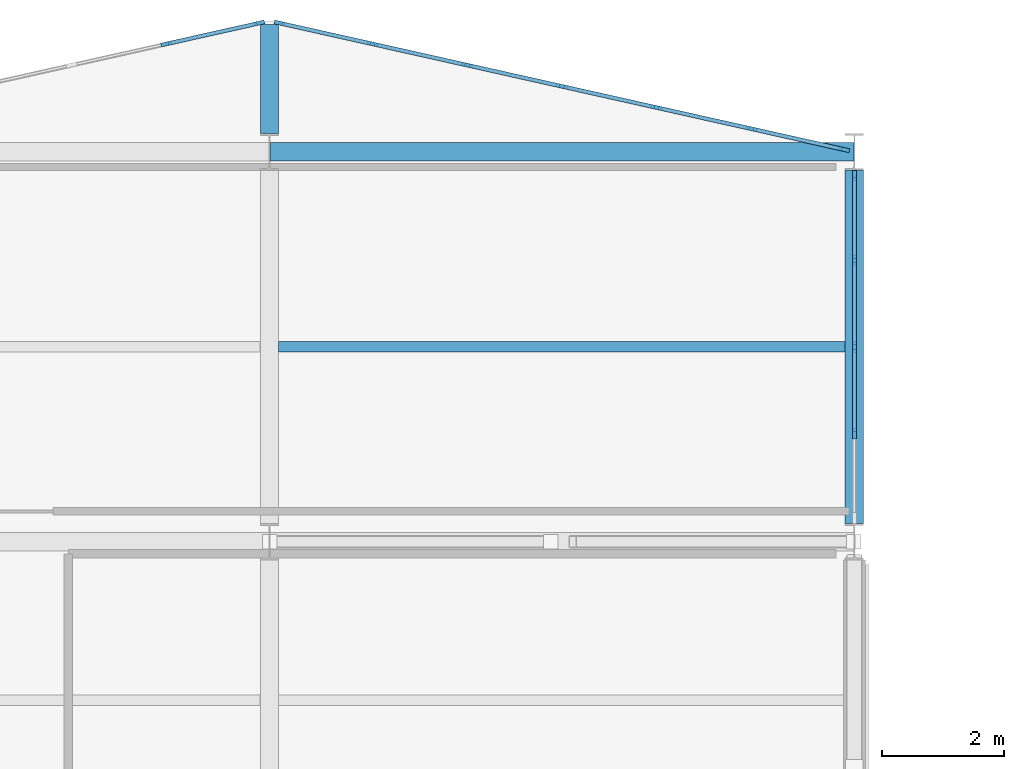
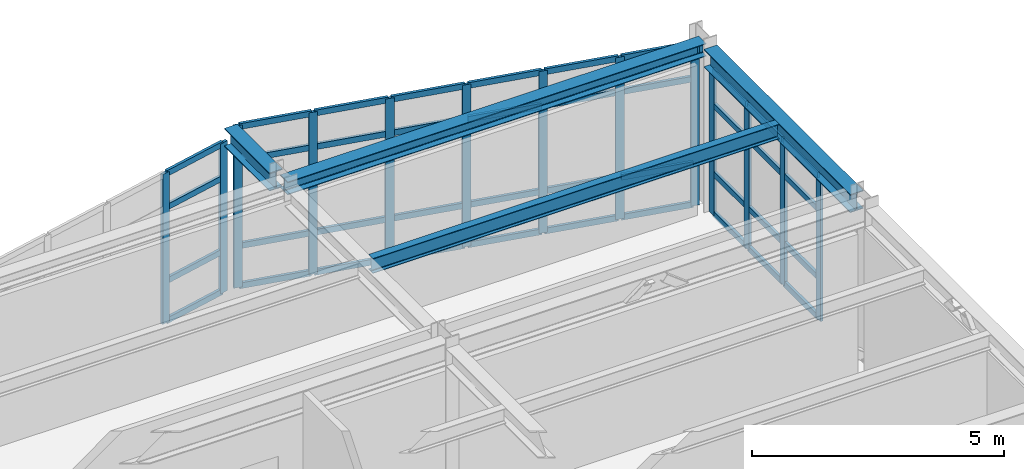
# One storey, part 55 of 99: 53 members, 4 beams, 3 elements without a shape of their own.
"""IFC4 building model written with IfcOpenShell, lengths in metres."""

from ifc_helpers import new_model, si_unit, direction, frame, origin, origin_2d, place, context, subcontext, project, spatial, rectangle, i_section, extrude, material, layer, layer_set, material_profile, profile_set, type_object, element, aggregate, save


model = new_model("IFC4")

# Units and contexts
model_context = context("Model", 3, precision=1e-05, world=origin(), true_north=direction((0.0, 1.0)))
body_context = subcontext(model_context, "Body", "Model", "MODEL_VIEW")
ifc_project = project(units=[si_unit("LENGTHUNIT", "METRE"), si_unit("AREAUNIT", "SQUARE_METRE"), si_unit("VOLUMEUNIT", "CUBIC_METRE"), si_unit("PLANEANGLEUNIT", "RADIAN"), si_unit("MASSUNIT", "GRAM", prefix="KILO")], contexts=[model_context])

# Site, building, storey
site_placement = place(None, origin())
site = spatial("IfcSite", under=ifc_project, at=site_placement, CompositionType="ELEMENT")
building_placement = place(site_placement, origin())
building = spatial("IfcBuilding", under=site, at=building_placement, Name="Nordkorset Police Headquarters", CompositionType="ELEMENT")
storey_placement = place(building_placement, frame((0.0, 0.0, 5.25)))
storey = spatial("IfcBuildingStorey", under=building, at=storey_placement, Name="L01", CompositionType="ELEMENT", Elevation=5.25)

# Beam
ifc_material_1 = material(Name="Steel S355J2", Category="steel")
ifc_material_profile_1 = material_profile(ifc_material_1, i_section(OverallWidth=0.169921875, OverallDepth=0.360107421875, WebThickness=0.008056640625, FlangeThickness=0.0126953125, FilletRadius=0.01806640625, at=origin_2d()), Name="IPE 360")
ifc_profile_set_1 = profile_set([ifc_material_profile_1], Name="Steel S355J2")
beam_type_1 = type_object("IfcBeamType", Name="Beam_IPE_360", PredefinedType="BEAM", material=ifc_profile_set_1)
beam_1_placement = place(storey_placement, frame((76.949951171875, 113.60009765625, 3.780029296875), z_axis=(1.0, 0.0, 0.0), x_axis=(0.0, 1.0, 0.0)))
element("IfcBeam", 1, at=beam_1_placement, inside=storey, type_object=beam_type_1, Name="Composite Floor Beam V2 L01 5-2-1", PredefinedType="BEAM", context=body_context, shape_type="SweptSolid", body=[
    extrude(i_section(OverallWidth=0.169921875, OverallDepth=0.360107421875, WebThickness=0.008056640625, FlangeThickness=0.0126953125, FilletRadius=0.01806640625, at=origin_2d()), origin(), (0.0, 0.0, 1.0), 9.300048828125),
])

# Curtain wall, members
ifc_material_2 = material(Name="Aluminium alloy AW-6060", Category="aluminium")
ifc_layer_1 = layer(ifc_material_2, 0.179931640625, Name="Aluminium alloy AW-6060")
ifc_layer_set_1 = layer_set([ifc_layer_1], Name="Aluminium alloy AW-6060")
curtain_wall_type_1 = type_object("IfcCurtainWallType", Name="CW_Unit_956x363", PredefinedType="USERDEFINED", material=ifc_layer_set_1)
curtain_wall_1_placement = place(storey_placement, origin())
curtain_wall_1 = element("IfcCurtainWall", 2, at=curtain_wall_1_placement, inside=storey, type_object=curtain_wall_type_1, Name="Unitised Curtain Wall L01 V2N-4", ObjectType="UNITISED CURTAIN WALL", PredefinedType="USERDEFINED")
ifc_material_3 = material(Name="Aluminium alloy AW-6060", Category="aluminium")
ifc_material_profile_2 = material_profile(ifc_material_3, rectangle(XDim=0.06494140625, YDim=0.179931640625, at=origin_2d()), Name="ALU MULL 65x180")
ifc_profile_set_2 = profile_set([ifc_material_profile_2], Name="Aluminium alloy AW-6060")
member_type_1 = type_object("IfcMemberType", Name="CW_Mullion_65x180", PredefinedType="MULLION", material=ifc_profile_set_2)
member_1_placement = place(storey_placement, frame((75.10888671875, 118.5712890625, 0.0), z_axis=(0.0, 0.0, 1.0), x_axis=(-0.218544020358, 0.975827090814, 0.0)))
member_1 = element("IfcMember", 3, at=member_1_placement, type_object=member_type_1, Name="CW-67 mullion 6", PredefinedType="MULLION", context=body_context, shape_type="SweptSolid", body=[
    extrude(rectangle(XDim=0.06494140625, YDim=0.179931640625, at=origin_2d()), origin(), (0.0, 0.0, 1.0), 3.6298828125),
])
member_2_placement = place(storey_placement, frame((76.631591796875, 118.912353515625, 0.0), z_axis=(0.0, 0.0, 1.0), x_axis=(-0.218544020358, 0.975827090814, 0.0)))
member_2 = element("IfcMember", 4, at=member_2_placement, type_object=member_type_1, Name="CW-67 mullion 7", PredefinedType="MULLION", context=body_context, shape_type="SweptSolid", body=[
    extrude(rectangle(XDim=0.06494140625, YDim=0.179931640625, at=origin_2d()), origin(), (0.0, 0.0, 1.0), 3.6298828125),
])

ifc_material_4 = material(Name="Aluminium alloy AW-6060", Category="aluminium")
ifc_layer_2 = layer(ifc_material_4, 0.179931640625, Name="Aluminium alloy AW-6060")
ifc_layer_set_2 = layer_set([ifc_layer_2], Name="Aluminium alloy AW-6060")
curtain_wall_type_2 = type_object("IfcCurtainWallType", Name="CW_Unit_956x392", PredefinedType="USERDEFINED", material=ifc_layer_set_2)
curtain_wall_2_placement = place(storey_placement, origin())
curtain_wall_2 = element("IfcCurtainWall", 5, at=curtain_wall_2_placement, inside=storey, type_object=curtain_wall_type_2, Name="Unitised Curtain Wall L01 V2N-5", ObjectType="UNITISED CURTAIN WALL", PredefinedType="USERDEFINED")
member_3_placement = place(storey_placement, frame((76.96826171875, 118.912353515625, 0.0), z_axis=(0.0, 0.0, 1.0), x_axis=(0.218544020358, 0.975827090814, 0.0)))
member_3 = element("IfcMember", 6, at=member_3_placement, type_object=member_type_1, Name="CW-41 mullion 1", PredefinedType="MULLION", context=body_context, shape_type="SweptSolid", body=[
    extrude(rectangle(XDim=0.06494140625, YDim=0.179931640625, at=origin_2d()), origin(), (0.0, 0.0, 1.0), 3.919921875),
])
member_4_placement = place(storey_placement, frame((78.490966796875, 118.5712890625, 0.0), z_axis=(0.0, 0.0, 1.0), x_axis=(0.218544020358, 0.975827090814, 0.0)))
member_4 = element("IfcMember", 7, at=member_4_placement, type_object=member_type_1, Name="CW-41 mullion 2", PredefinedType="MULLION", context=body_context, shape_type="SweptSolid", body=[
    extrude(rectangle(XDim=0.06494140625, YDim=0.179931640625, at=origin_2d()), origin(), (0.0, 0.0, 1.0), 3.919921875),
])
member_5_placement = place(storey_placement, frame((80.045654296875, 118.22314453125, 0.0), z_axis=(0.0, 0.0, 1.0), x_axis=(0.218544020358, 0.975827090814, 0.0)))
member_5 = element("IfcMember", 8, at=member_5_placement, type_object=member_type_1, Name="CW-41 mullion 3", PredefinedType="MULLION", context=body_context, shape_type="SweptSolid", body=[
    extrude(rectangle(XDim=0.06494140625, YDim=0.179931640625, at=origin_2d()), origin(), (0.0, 0.0, 1.0), 3.919921875),
])
member_6_placement = place(storey_placement, frame((81.60009765625, 117.875, 0.0), z_axis=(0.0, 0.0, 1.0), x_axis=(0.218544020358, 0.975827090814, 0.0)))
member_6 = element("IfcMember", 9, at=member_6_placement, type_object=member_type_1, Name="CW-41 mullion 4", PredefinedType="MULLION", context=body_context, shape_type="SweptSolid", body=[
    extrude(rectangle(XDim=0.06494140625, YDim=0.179931640625, at=origin_2d()), origin(), (0.0, 0.0, 1.0), 3.919921875),
])
member_7_placement = place(storey_placement, frame((83.154541015625, 117.52685546875, 0.0), z_axis=(0.0, 0.0, 1.0), x_axis=(0.218544020358, 0.975827090814, 0.0)))
member_7 = element("IfcMember", 10, at=member_7_placement, type_object=member_type_1, Name="CW-41 mullion 5", PredefinedType="MULLION", context=body_context, shape_type="SweptSolid", body=[
    extrude(rectangle(XDim=0.06494140625, YDim=0.179931640625, at=origin_2d()), origin(), (0.0, 0.0, 1.0), 3.919921875),
])
member_8_placement = place(storey_placement, frame((84.708984375, 117.1787109375, 0.0), z_axis=(0.0, 0.0, 1.0), x_axis=(0.218544020358, 0.975827090814, 0.0)))
member_8 = element("IfcMember", 11, at=member_8_placement, type_object=member_type_1, Name="CW-41 mullion 6", PredefinedType="MULLION", context=body_context, shape_type="SweptSolid", body=[
    extrude(rectangle(XDim=0.06494140625, YDim=0.179931640625, at=origin_2d()), origin(), (0.0, 0.0, 1.0), 3.919921875),
])
member_9_placement = place(storey_placement, frame((86.231689453125, 116.837646484375, 0.0), z_axis=(0.0, 0.0, 1.0), x_axis=(0.218544020358, 0.975827090814, 0.0)))
member_9 = element("IfcMember", 12, at=member_9_placement, type_object=member_type_1, Name="CW-41 mullion 7", PredefinedType="MULLION", context=body_context, shape_type="SweptSolid", body=[
    extrude(rectangle(XDim=0.06494140625, YDim=0.179931640625, at=origin_2d()), origin(), (0.0, 0.0, 1.0), 3.919921875),
])

ifc_material_5 = material(Name="Aluminium alloy AW-6060", Category="aluminium")
ifc_layer_3 = layer(ifc_material_5, 0.179931640625, Name="Aluminium alloy AW-6060")
ifc_layer_set_3 = layer_set([ifc_layer_3], Name="Aluminium alloy AW-6060")
curtain_wall_type_3 = type_object("IfcCurtainWallType", Name="CW_Unit_568x350", PredefinedType="USERDEFINED", material=ifc_layer_set_3)
curtain_wall_3_placement = place(storey_placement, origin())
curtain_wall_3 = element("IfcCurtainWall", 13, at=curtain_wall_3_placement, inside=storey, type_object=curtain_wall_type_3, Name="Unitised Curtain Wall L01 V2E-1", ObjectType="UNITISED CURTAIN WALL", PredefinedType="USERDEFINED")
member_10_placement = place(storey_placement, frame((86.39990234375, 112.179931640625, 0.0), z_axis=(0.0, 0.0, 1.0), x_axis=(-1.0, 0.0, 0.0)))
member_10 = element("IfcMember", 14, at=member_10_placement, type_object=member_type_1, Name="CW-23 mullion 2", PredefinedType="MULLION", context=body_context, shape_type="SweptSolid", body=[
    extrude(rectangle(XDim=0.06494140625, YDim=0.179931640625, at=origin_2d()), origin(), (0.0, 0.0, 1.0), 3.5),
])
member_11_placement = place(storey_placement, frame((86.39990234375, 113.60009765625, 0.0), z_axis=(0.0, 0.0, 1.0), x_axis=(-1.0, 0.0, 0.0)))
member_11 = element("IfcMember", 15, at=member_11_placement, type_object=member_type_1, Name="CW-23 mullion 3", PredefinedType="MULLION", context=body_context, shape_type="SweptSolid", body=[
    extrude(rectangle(XDim=0.06494140625, YDim=0.179931640625, at=origin_2d()), origin(), (0.0, 0.0, 1.0), 3.5),
])
member_12_placement = place(storey_placement, frame((86.39990234375, 115.02001953125, 0.0), z_axis=(0.0, 0.0, 1.0), x_axis=(-1.0, 0.0, 0.0)))
member_12 = element("IfcMember", 16, at=member_12_placement, type_object=member_type_1, Name="CW-23 mullion 4", PredefinedType="MULLION", context=body_context, shape_type="SweptSolid", body=[
    extrude(rectangle(XDim=0.06494140625, YDim=0.179931640625, at=origin_2d()), origin(), (0.0, 0.0, 1.0), 3.5),
])
member_13_placement = place(storey_placement, frame((86.39990234375, 116.407470703125, 0.0), z_axis=(0.0, 0.0, 1.0), x_axis=(-1.0, 0.0, 0.0)))
member_13 = element("IfcMember", 17, at=member_13_placement, type_object=member_type_1, Name="CW-23 mullion 5", PredefinedType="MULLION", context=body_context, shape_type="SweptSolid", body=[
    extrude(rectangle(XDim=0.06494140625, YDim=0.179931640625, at=origin_2d()), origin(), (0.0, 0.0, 1.0), 3.5),
])

# Member
ifc_material_6 = material(Name="Aluminium alloy AW-6060", Category="aluminium")
ifc_material_profile_3 = material_profile(ifc_material_6, rectangle(XDim=0.06494140625, YDim=0.139892578125, at=origin_2d()), Name="ALU TRAN 65x140")
ifc_profile_set_3 = profile_set([ifc_material_profile_3], Name="Aluminium alloy AW-6060")
member_type_2 = type_object("IfcMemberType", Name="CW_Transom_65x140", PredefinedType="USERDEFINED", material=ifc_profile_set_3)
member_14_placement = place(storey_placement, frame((75.140625, 118.578369140625, 0.032470703125), z_axis=(0.975813000089, 0.218606927743, 0.0), x_axis=(-0.218606927743, 0.975813000089, 0.0)))
member_14 = element("IfcMember", 18, at=member_14_placement, type_object=member_type_2, Name="CW-67 transom 6.1", ObjectType="TRANSOM", PredefinedType="USERDEFINED", context=body_context, shape_type="SweptSolid", body=[
    extrude(rectangle(XDim=0.06494140625, YDim=0.139892578125, at=origin_2d()), origin(), (0.0, 0.0, 1.0), 1.495361328125),
])

member_15_placement = place(storey_placement, frame((75.140625, 118.578369140625, 1.0), z_axis=(0.975813000089, 0.218606927743, 0.0), x_axis=(-0.218606927743, 0.975813000089, 0.0)))
member_15 = element("IfcMember", 19, at=member_15_placement, type_object=member_type_2, Name="CW-67 transom 6.2", ObjectType="TRANSOM", PredefinedType="USERDEFINED", context=body_context, shape_type="SweptSolid", body=[
    extrude(rectangle(XDim=0.06494140625, YDim=0.139892578125, at=origin_2d()), origin(), (0.0, 0.0, 1.0), 1.495361328125),
])

member_16_placement = place(storey_placement, frame((75.140625, 118.578369140625, 2.780029296875), z_axis=(0.975813000089, 0.218606927743, 0.0), x_axis=(-0.218606927743, 0.975813000089, 0.0)))
member_16 = element("IfcMember", 20, at=member_16_placement, type_object=member_type_2, Name="CW-67 transom 6.3", ObjectType="TRANSOM", PredefinedType="USERDEFINED", context=body_context, shape_type="SweptSolid", body=[
    extrude(rectangle(XDim=0.06494140625, YDim=0.139892578125, at=origin_2d()), origin(), (0.0, 0.0, 1.0), 1.495361328125),
])

member_17_placement = place(storey_placement, frame((75.140625, 118.578369140625, 3.597412109375), z_axis=(0.975813000089, 0.218606927743, 0.0), x_axis=(-0.218606927743, 0.975813000089, 0.0)))
member_17 = element("IfcMember", 21, at=member_17_placement, type_object=member_type_2, Name="CW-67 transom 6.4", ObjectType="TRANSOM", PredefinedType="USERDEFINED", context=body_context, shape_type="SweptSolid", body=[
    extrude(rectangle(XDim=0.06494140625, YDim=0.139892578125, at=origin_2d()), origin(), (0.0, 0.0, 1.0), 1.495361328125),
])

aggregate(curtain_wall_1, [member_1, member_2, member_14, member_15, member_16, member_17])

member_18_placement = place(storey_placement, frame((77.0, 118.9052734375, 0.032470703125), z_axis=(0.975820800319, -0.218572106328, 0.0), x_axis=(0.218572106328, 0.975820800319, 0.0)))
member_18 = element("IfcMember", 22, at=member_18_placement, type_object=member_type_2, Name="CW-41 transom 1.1", ObjectType="TRANSOM", PredefinedType="USERDEFINED", context=body_context, shape_type="SweptSolid", body=[
    extrude(rectangle(XDim=0.06494140625, YDim=0.139892578125, at=origin_2d()), origin(), (0.0, 0.0, 1.0), 1.49560546875),
])

member_19_placement = place(storey_placement, frame((77.0, 118.9052734375, 1.0), z_axis=(0.975820800319, -0.218572106328, 0.0), x_axis=(0.218572106328, 0.975820800319, 0.0)))
member_19 = element("IfcMember", 23, at=member_19_placement, type_object=member_type_2, Name="CW-41 transom 1.2", ObjectType="TRANSOM", PredefinedType="USERDEFINED", context=body_context, shape_type="SweptSolid", body=[
    extrude(rectangle(XDim=0.06494140625, YDim=0.139892578125, at=origin_2d()), origin(), (0.0, 0.0, 1.0), 1.49560546875),
])

member_20_placement = place(storey_placement, frame((77.0, 118.9052734375, 3.070068359375), z_axis=(0.975820800319, -0.218572106328, 0.0), x_axis=(0.218572106328, 0.975820800319, 0.0)))
member_20 = element("IfcMember", 24, at=member_20_placement, type_object=member_type_2, Name="CW-41 transom 1.3", ObjectType="TRANSOM", PredefinedType="USERDEFINED", context=body_context, shape_type="SweptSolid", body=[
    extrude(rectangle(XDim=0.06494140625, YDim=0.139892578125, at=origin_2d()), origin(), (0.0, 0.0, 1.0), 1.49560546875),
])

member_21_placement = place(storey_placement, frame((77.0, 118.9052734375, 3.887451171875), z_axis=(0.975820800319, -0.218572106328, 0.0), x_axis=(0.218572106328, 0.975820800319, 0.0)))
member_21 = element("IfcMember", 25, at=member_21_placement, type_object=member_type_2, Name="CW-41 transom 1.4", ObjectType="TRANSOM", PredefinedType="USERDEFINED", context=body_context, shape_type="SweptSolid", body=[
    extrude(rectangle(XDim=0.06494140625, YDim=0.139892578125, at=origin_2d()), origin(), (0.0, 0.0, 1.0), 1.49560546875),
])

member_22_placement = place(storey_placement, frame((78.522705078125, 118.564208984375, 0.032470703125), z_axis=(0.975824835817, -0.218554088965, 0.0), x_axis=(0.218554088965, 0.975824835817, 0.0)))
member_22 = element("IfcMember", 26, at=member_22_placement, type_object=member_type_2, Name="CW-41 transom 2.1", ObjectType="TRANSOM", PredefinedType="USERDEFINED", context=body_context, shape_type="SweptSolid", body=[
    extrude(rectangle(XDim=0.06494140625, YDim=0.139892578125, at=origin_2d()), origin(), (0.0, 0.0, 1.0), 1.528076171875),
])

member_23_placement = place(storey_placement, frame((78.522705078125, 118.564208984375, 1.0), z_axis=(0.975824835817, -0.218554088965, 0.0), x_axis=(0.218554088965, 0.975824835817, 0.0)))
member_23 = element("IfcMember", 27, at=member_23_placement, type_object=member_type_2, Name="CW-41 transom 2.2", ObjectType="TRANSOM", PredefinedType="USERDEFINED", context=body_context, shape_type="SweptSolid", body=[
    extrude(rectangle(XDim=0.06494140625, YDim=0.139892578125, at=origin_2d()), origin(), (0.0, 0.0, 1.0), 1.528076171875),
])

member_24_placement = place(storey_placement, frame((78.522705078125, 118.564208984375, 3.070068359375), z_axis=(0.975824835817, -0.218554088965, 0.0), x_axis=(0.218554088965, 0.975824835817, 0.0)))
member_24 = element("IfcMember", 28, at=member_24_placement, type_object=member_type_2, Name="CW-41 transom 2.3", ObjectType="TRANSOM", PredefinedType="USERDEFINED", context=body_context, shape_type="SweptSolid", body=[
    extrude(rectangle(XDim=0.06494140625, YDim=0.139892578125, at=origin_2d()), origin(), (0.0, 0.0, 1.0), 1.528076171875),
])

member_25_placement = place(storey_placement, frame((78.522705078125, 118.564208984375, 3.887451171875), z_axis=(0.975824835817, -0.218554088965, 0.0), x_axis=(0.218554088965, 0.975824835817, 0.0)))
member_25 = element("IfcMember", 29, at=member_25_placement, type_object=member_type_2, Name="CW-41 transom 2.4", ObjectType="TRANSOM", PredefinedType="USERDEFINED", context=body_context, shape_type="SweptSolid", body=[
    extrude(rectangle(XDim=0.06494140625, YDim=0.139892578125, at=origin_2d()), origin(), (0.0, 0.0, 1.0), 1.528076171875),
])

member_26_placement = place(storey_placement, frame((80.0771484375, 118.216064453125, 0.032470703125), z_axis=(0.975824835817, -0.218554088965, 0.0), x_axis=(0.218554088965, 0.975824835817, 0.0)))
member_26 = element("IfcMember", 30, at=member_26_placement, type_object=member_type_2, Name="CW-41 transom 3.1", ObjectType="TRANSOM", PredefinedType="USERDEFINED", context=body_context, shape_type="SweptSolid", body=[
    extrude(rectangle(XDim=0.06494140625, YDim=0.139892578125, at=origin_2d()), origin(), (0.0, 0.0, 1.0), 1.528076171875),
])

member_27_placement = place(storey_placement, frame((80.0771484375, 118.216064453125, 1.0), z_axis=(0.975824835817, -0.218554088965, 0.0), x_axis=(0.218554088965, 0.975824835817, 0.0)))
member_27 = element("IfcMember", 31, at=member_27_placement, type_object=member_type_2, Name="CW-41 transom 3.2", ObjectType="TRANSOM", PredefinedType="USERDEFINED", context=body_context, shape_type="SweptSolid", body=[
    extrude(rectangle(XDim=0.06494140625, YDim=0.139892578125, at=origin_2d()), origin(), (0.0, 0.0, 1.0), 1.528076171875),
])

member_28_placement = place(storey_placement, frame((80.0771484375, 118.216064453125, 3.070068359375), z_axis=(0.975824835817, -0.218554088965, 0.0), x_axis=(0.218554088965, 0.975824835817, 0.0)))
member_28 = element("IfcMember", 32, at=member_28_placement, type_object=member_type_2, Name="CW-41 transom 3.3", ObjectType="TRANSOM", PredefinedType="USERDEFINED", context=body_context, shape_type="SweptSolid", body=[
    extrude(rectangle(XDim=0.06494140625, YDim=0.139892578125, at=origin_2d()), origin(), (0.0, 0.0, 1.0), 1.528076171875),
])

member_29_placement = place(storey_placement, frame((80.0771484375, 118.216064453125, 3.887451171875), z_axis=(0.975824835817, -0.218554088965, 0.0), x_axis=(0.218554088965, 0.975824835817, 0.0)))
member_29 = element("IfcMember", 33, at=member_29_placement, type_object=member_type_2, Name="CW-41 transom 3.4", ObjectType="TRANSOM", PredefinedType="USERDEFINED", context=body_context, shape_type="SweptSolid", body=[
    extrude(rectangle(XDim=0.06494140625, YDim=0.139892578125, at=origin_2d()), origin(), (0.0, 0.0, 1.0), 1.528076171875),
])

member_30_placement = place(storey_placement, frame((81.6318359375, 117.867919921875, 0.032470703125), z_axis=(0.975817202869, -0.218588166616, 0.0), x_axis=(0.218588166616, 0.975817202869, 0.0)))
member_30 = element("IfcMember", 34, at=member_30_placement, type_object=member_type_2, Name="CW-41 transom 4.1", ObjectType="TRANSOM", PredefinedType="USERDEFINED", context=body_context, shape_type="SweptSolid", body=[
    extrude(rectangle(XDim=0.06494140625, YDim=0.139892578125, at=origin_2d()), origin(), (0.0, 0.0, 1.0), 1.52783203125),
])

member_31_placement = place(storey_placement, frame((81.6318359375, 117.867919921875, 1.0), z_axis=(0.975817202869, -0.218588166616, 0.0), x_axis=(0.218588166616, 0.975817202869, 0.0)))
member_31 = element("IfcMember", 35, at=member_31_placement, type_object=member_type_2, Name="CW-41 transom 4.2", ObjectType="TRANSOM", PredefinedType="USERDEFINED", context=body_context, shape_type="SweptSolid", body=[
    extrude(rectangle(XDim=0.06494140625, YDim=0.139892578125, at=origin_2d()), origin(), (0.0, 0.0, 1.0), 1.52783203125),
])

member_32_placement = place(storey_placement, frame((81.6318359375, 117.867919921875, 3.070068359375), z_axis=(0.975817202869, -0.218588166616, 0.0), x_axis=(0.218588166616, 0.975817202869, 0.0)))
member_32 = element("IfcMember", 36, at=member_32_placement, type_object=member_type_2, Name="CW-41 transom 4.3", ObjectType="TRANSOM", PredefinedType="USERDEFINED", context=body_context, shape_type="SweptSolid", body=[
    extrude(rectangle(XDim=0.06494140625, YDim=0.139892578125, at=origin_2d()), origin(), (0.0, 0.0, 1.0), 1.52783203125),
])

member_33_placement = place(storey_placement, frame((81.6318359375, 117.867919921875, 3.887451171875), z_axis=(0.975817202869, -0.218588166616, 0.0), x_axis=(0.218588166616, 0.975817202869, 0.0)))
member_33 = element("IfcMember", 37, at=member_33_placement, type_object=member_type_2, Name="CW-41 transom 4.4", ObjectType="TRANSOM", PredefinedType="USERDEFINED", context=body_context, shape_type="SweptSolid", body=[
    extrude(rectangle(XDim=0.06494140625, YDim=0.139892578125, at=origin_2d()), origin(), (0.0, 0.0, 1.0), 1.52783203125),
])

member_34_placement = place(storey_placement, frame((83.186279296875, 117.519775390625, 0.032470703125), z_axis=(0.975817202869, -0.218588166616, 0.0), x_axis=(0.218588166616, 0.975817202869, 0.0)))
member_34 = element("IfcMember", 38, at=member_34_placement, type_object=member_type_2, Name="CW-41 transom 5.1", ObjectType="TRANSOM", PredefinedType="USERDEFINED", context=body_context, shape_type="SweptSolid", body=[
    extrude(rectangle(XDim=0.06494140625, YDim=0.139892578125, at=origin_2d()), origin(), (0.0, 0.0, 1.0), 1.52783203125),
])

member_35_placement = place(storey_placement, frame((83.186279296875, 117.519775390625, 1.0), z_axis=(0.975817202869, -0.218588166616, 0.0), x_axis=(0.218588166616, 0.975817202869, 0.0)))
member_35 = element("IfcMember", 39, at=member_35_placement, type_object=member_type_2, Name="CW-41 transom 5.2", ObjectType="TRANSOM", PredefinedType="USERDEFINED", context=body_context, shape_type="SweptSolid", body=[
    extrude(rectangle(XDim=0.06494140625, YDim=0.139892578125, at=origin_2d()), origin(), (0.0, 0.0, 1.0), 1.52783203125),
])

member_36_placement = place(storey_placement, frame((83.186279296875, 117.519775390625, 3.070068359375), z_axis=(0.975817202869, -0.218588166616, 0.0), x_axis=(0.218588166616, 0.975817202869, 0.0)))
member_36 = element("IfcMember", 40, at=member_36_placement, type_object=member_type_2, Name="CW-41 transom 5.3", ObjectType="TRANSOM", PredefinedType="USERDEFINED", context=body_context, shape_type="SweptSolid", body=[
    extrude(rectangle(XDim=0.06494140625, YDim=0.139892578125, at=origin_2d()), origin(), (0.0, 0.0, 1.0), 1.52783203125),
])

member_37_placement = place(storey_placement, frame((83.186279296875, 117.519775390625, 3.887451171875), z_axis=(0.975817202869, -0.218588166616, 0.0), x_axis=(0.218588166616, 0.975817202869, 0.0)))
member_37 = element("IfcMember", 41, at=member_37_placement, type_object=member_type_2, Name="CW-41 transom 5.4", ObjectType="TRANSOM", PredefinedType="USERDEFINED", context=body_context, shape_type="SweptSolid", body=[
    extrude(rectangle(XDim=0.06494140625, YDim=0.139892578125, at=origin_2d()), origin(), (0.0, 0.0, 1.0), 1.52783203125),
])

member_38_placement = place(storey_placement, frame((84.74072265625, 117.171630859375, 0.032470703125), z_axis=(0.975813000089, -0.218606927743, 0.0), x_axis=(0.218606927743, 0.975813000089, 0.0)))
member_38 = element("IfcMember", 42, at=member_38_placement, type_object=member_type_2, Name="CW-41 transom 6.1", ObjectType="TRANSOM", PredefinedType="USERDEFINED", context=body_context, shape_type="SweptSolid", body=[
    extrude(rectangle(XDim=0.06494140625, YDim=0.139892578125, at=origin_2d()), origin(), (0.0, 0.0, 1.0), 1.495361328125),
])

member_39_placement = place(storey_placement, frame((84.74072265625, 117.171630859375, 1.0), z_axis=(0.975813000089, -0.218606927743, 0.0), x_axis=(0.218606927743, 0.975813000089, 0.0)))
member_39 = element("IfcMember", 43, at=member_39_placement, type_object=member_type_2, Name="CW-41 transom 6.2", ObjectType="TRANSOM", PredefinedType="USERDEFINED", context=body_context, shape_type="SweptSolid", body=[
    extrude(rectangle(XDim=0.06494140625, YDim=0.139892578125, at=origin_2d()), origin(), (0.0, 0.0, 1.0), 1.495361328125),
])

member_40_placement = place(storey_placement, frame((84.74072265625, 117.171630859375, 3.070068359375), z_axis=(0.975813000089, -0.218606927743, 0.0), x_axis=(0.218606927743, 0.975813000089, 0.0)))
member_40 = element("IfcMember", 44, at=member_40_placement, type_object=member_type_2, Name="CW-41 transom 6.3", ObjectType="TRANSOM", PredefinedType="USERDEFINED", context=body_context, shape_type="SweptSolid", body=[
    extrude(rectangle(XDim=0.06494140625, YDim=0.139892578125, at=origin_2d()), origin(), (0.0, 0.0, 1.0), 1.495361328125),
])

member_41_placement = place(storey_placement, frame((84.74072265625, 117.171630859375, 3.887451171875), z_axis=(0.975813000089, -0.218606927743, 0.0), x_axis=(0.218606927743, 0.975813000089, 0.0)))
member_41 = element("IfcMember", 45, at=member_41_placement, type_object=member_type_2, Name="CW-41 transom 6.4", ObjectType="TRANSOM", PredefinedType="USERDEFINED", context=body_context, shape_type="SweptSolid", body=[
    extrude(rectangle(XDim=0.06494140625, YDim=0.139892578125, at=origin_2d()), origin(), (0.0, 0.0, 1.0), 1.495361328125),
])

aggregate(curtain_wall_2, [member_3, member_4, member_5, member_6, member_7, member_8, member_9, member_18, member_19, member_20, member_21, member_22, member_23, member_24, member_25, member_26, member_27, member_28, member_29, member_30, member_31, member_32, member_33, member_34, member_35, member_36, member_37, member_38, member_39, member_40, member_41])

member_42_placement = place(storey_placement, frame((86.39990234375, 112.21240234375, 0.032470703125), z_axis=(0.0, 1.0, 0.0), x_axis=(-1.0, 0.0, 0.0)))
member_42 = element("IfcMember", 46, at=member_42_placement, type_object=member_type_2, Name="CW-23 transom 2.1", ObjectType="TRANSOM", PredefinedType="USERDEFINED", context=body_context, shape_type="SweptSolid", body=[
    extrude(rectangle(XDim=0.06494140625, YDim=0.139892578125, at=origin_2d()), origin(), (0.0, 0.0, 1.0), 1.35498046875),
])

member_43_placement = place(storey_placement, frame((86.39990234375, 112.21240234375, 1.0), z_axis=(0.0, 1.0, 0.0), x_axis=(-1.0, 0.0, 0.0)))
member_43 = element("IfcMember", 47, at=member_43_placement, type_object=member_type_2, Name="CW-23 transom 2.2", ObjectType="TRANSOM", PredefinedType="USERDEFINED", context=body_context, shape_type="SweptSolid", body=[
    extrude(rectangle(XDim=0.06494140625, YDim=0.139892578125, at=origin_2d()), origin(), (0.0, 0.0, 1.0), 1.35498046875),
])

member_44_placement = place(storey_placement, frame((86.39990234375, 112.21240234375, 2.64990234375), z_axis=(0.0, 1.0, 0.0), x_axis=(-1.0, 0.0, 0.0)))
member_44 = element("IfcMember", 48, at=member_44_placement, type_object=member_type_2, Name="CW-23 transom 2.3", ObjectType="TRANSOM", PredefinedType="USERDEFINED", context=body_context, shape_type="SweptSolid", body=[
    extrude(rectangle(XDim=0.06494140625, YDim=0.139892578125, at=origin_2d()), origin(), (0.0, 0.0, 1.0), 1.35498046875),
])

member_45_placement = place(storey_placement, frame((86.39990234375, 112.21240234375, 3.467529296875), z_axis=(0.0, 1.0, 0.0), x_axis=(-1.0, 0.0, 0.0)))
member_45 = element("IfcMember", 49, at=member_45_placement, type_object=member_type_2, Name="CW-23 transom 2.4", ObjectType="TRANSOM", PredefinedType="USERDEFINED", context=body_context, shape_type="SweptSolid", body=[
    extrude(rectangle(XDim=0.06494140625, YDim=0.139892578125, at=origin_2d()), origin(), (0.0, 0.0, 1.0), 1.35498046875),
])

member_46_placement = place(storey_placement, frame((86.39990234375, 113.632568359375, 0.032470703125), z_axis=(0.0, 1.0, 0.0), x_axis=(-1.0, 0.0, 0.0)))
member_46 = element("IfcMember", 50, at=member_46_placement, type_object=member_type_2, Name="CW-23 transom 3.1", ObjectType="TRANSOM", PredefinedType="USERDEFINED", context=body_context, shape_type="SweptSolid", body=[
    extrude(rectangle(XDim=0.06494140625, YDim=0.139892578125, at=origin_2d()), origin(), (0.0, 0.0, 1.0), 1.35498046875),
])

member_47_placement = place(storey_placement, frame((86.39990234375, 113.632568359375, 1.0), z_axis=(0.0, 1.0, 0.0), x_axis=(-1.0, 0.0, 0.0)))
member_47 = element("IfcMember", 51, at=member_47_placement, type_object=member_type_2, Name="CW-23 transom 3.2", ObjectType="TRANSOM", PredefinedType="USERDEFINED", context=body_context, shape_type="SweptSolid", body=[
    extrude(rectangle(XDim=0.06494140625, YDim=0.139892578125, at=origin_2d()), origin(), (0.0, 0.0, 1.0), 1.35498046875),
])

member_48_placement = place(storey_placement, frame((86.39990234375, 113.632568359375, 2.64990234375), z_axis=(0.0, 1.0, 0.0), x_axis=(-1.0, 0.0, 0.0)))
member_48 = element("IfcMember", 52, at=member_48_placement, type_object=member_type_2, Name="CW-23 transom 3.3", ObjectType="TRANSOM", PredefinedType="USERDEFINED", context=body_context, shape_type="SweptSolid", body=[
    extrude(rectangle(XDim=0.06494140625, YDim=0.139892578125, at=origin_2d()), origin(), (0.0, 0.0, 1.0), 1.35498046875),
])

member_49_placement = place(storey_placement, frame((86.39990234375, 113.632568359375, 3.467529296875), z_axis=(0.0, 1.0, 0.0), x_axis=(-1.0, 0.0, 0.0)))
member_49 = element("IfcMember", 53, at=member_49_placement, type_object=member_type_2, Name="CW-23 transom 3.4", ObjectType="TRANSOM", PredefinedType="USERDEFINED", context=body_context, shape_type="SweptSolid", body=[
    extrude(rectangle(XDim=0.06494140625, YDim=0.139892578125, at=origin_2d()), origin(), (0.0, 0.0, 1.0), 1.35498046875),
])

member_50_placement = place(storey_placement, frame((86.39990234375, 115.052490234375, 0.032470703125), z_axis=(0.0, 1.0, 0.0), x_axis=(-1.0, 0.0, 0.0)))
member_50 = element("IfcMember", 54, at=member_50_placement, type_object=member_type_2, Name="CW-23 transom 4.1", ObjectType="TRANSOM", PredefinedType="USERDEFINED", context=body_context, shape_type="SweptSolid", body=[
    extrude(rectangle(XDim=0.06494140625, YDim=0.139892578125, at=origin_2d()), origin(), (0.0, 0.0, 1.0), 1.322509765625),
])

member_51_placement = place(storey_placement, frame((86.39990234375, 115.052490234375, 1.0), z_axis=(0.0, 1.0, 0.0), x_axis=(-1.0, 0.0, 0.0)))
member_51 = element("IfcMember", 55, at=member_51_placement, type_object=member_type_2, Name="CW-23 transom 4.2", ObjectType="TRANSOM", PredefinedType="USERDEFINED", context=body_context, shape_type="SweptSolid", body=[
    extrude(rectangle(XDim=0.06494140625, YDim=0.139892578125, at=origin_2d()), origin(), (0.0, 0.0, 1.0), 1.322509765625),
])

member_52_placement = place(storey_placement, frame((86.39990234375, 115.052490234375, 2.64990234375), z_axis=(0.0, 1.0, 0.0), x_axis=(-1.0, 0.0, 0.0)))
member_52 = element("IfcMember", 56, at=member_52_placement, type_object=member_type_2, Name="CW-23 transom 4.3", ObjectType="TRANSOM", PredefinedType="USERDEFINED", context=body_context, shape_type="SweptSolid", body=[
    extrude(rectangle(XDim=0.06494140625, YDim=0.139892578125, at=origin_2d()), origin(), (0.0, 0.0, 1.0), 1.322509765625),
])

member_53_placement = place(storey_placement, frame((86.39990234375, 115.052490234375, 3.467529296875), z_axis=(0.0, 1.0, 0.0), x_axis=(-1.0, 0.0, 0.0)))
member_53 = element("IfcMember", 57, at=member_53_placement, type_object=member_type_2, Name="CW-23 transom 4.4", ObjectType="TRANSOM", PredefinedType="USERDEFINED", context=body_context, shape_type="SweptSolid", body=[
    extrude(rectangle(XDim=0.06494140625, YDim=0.139892578125, at=origin_2d()), origin(), (0.0, 0.0, 1.0), 1.322509765625),
])

aggregate(curtain_wall_3, [member_10, member_11, member_12, member_13, member_42, member_43, member_44, member_45, member_46, member_47, member_48, member_49, member_50, member_51, member_52, member_53])

# Beams
ifc_material_7 = material(Name="Steel S355J2", Category="steel")
ifc_material_profile_4 = material_profile(ifc_material_7, i_section(OverallWidth=0.300048828125, OverallDepth=0.43994140625, WebThickness=0.011474609375, FlangeThickness=0.02099609375, FilletRadius=0.027099609375, at=origin_2d()), Name="HEA 450")
ifc_profile_set_4 = profile_set([ifc_material_profile_4], Name="Steel S355J2")
beam_type_2 = type_object("IfcBeamType", Name="Girder_HEA_450", PredefinedType="USERDEFINED", material=ifc_profile_set_4)
beam_2_placement = place(storey_placement, frame((86.39990234375, 110.699951171875, 3.739990234375), z_axis=(0.0, 1.0, 0.0), x_axis=(-1.0, 0.0, 0.0)))
element("IfcBeam", 58, at=beam_2_placement, inside=storey, type_object=beam_type_2, Name="Girder V2 L01 GY-6-2", ObjectType="GIRDER", PredefinedType="USERDEFINED", context=body_context, shape_type="SweptSolid", body=[
    extrude(i_section(OverallWidth=0.300048828125, OverallDepth=0.43994140625, WebThickness=0.011474609375, FlangeThickness=0.02099609375, FilletRadius=0.027099609375, at=origin_2d()), origin(), (0.0, 0.0, 1.0), 5.800048828125),
])
beam_3_placement = place(storey_placement, frame((76.800048828125, 117.10009765625, 3.739990234375), z_axis=(0.0, 1.0, 0.0), x_axis=(-1.0, 0.0, 0.0)))
element("IfcBeam", 59, at=beam_3_placement, inside=storey, type_object=beam_type_2, Name="Sawtooth Facade Outrigger V2 L01 76", ObjectType="GIRDER", PredefinedType="USERDEFINED", context=body_context, shape_type="SweptSolid", body=[
    extrude(i_section(OverallWidth=0.300048828125, OverallDepth=0.43994140625, WebThickness=0.011474609375, FlangeThickness=0.02099609375, FilletRadius=0.027099609375, at=origin_2d()), origin(), (0.0, 0.0, 1.0), 1.789794921875),
])
ifc_material_8 = material(Name="Steel S355J2", Category="steel")
ifc_material_profile_5 = material_profile(ifc_material_8, i_section(OverallWidth=0.300048828125, OverallDepth=0.31005859375, WebThickness=0.009033203125, FlangeThickness=0.015380859375, FilletRadius=0.027099609375, at=origin_2d()), Name="HEA 320")
ifc_profile_set_5 = profile_set([ifc_material_profile_5], Name="Steel S355J2")
beam_type_3 = type_object("IfcBeamType", Name="Spandrel_HEA_320", PredefinedType="SPANDREL", material=ifc_profile_set_5)
beam_4_placement = place(storey_placement, frame((76.8076171875, 116.800048828125, 3.804931640625), z_axis=(1.0, 0.0, 0.0), x_axis=(0.0, 1.0, 0.0)))
element("IfcBeam", 60, at=beam_4_placement, inside=storey, type_object=beam_type_3, Name="Girder V2 L01 GX-3-5", PredefinedType="SPANDREL", context=body_context, shape_type="SweptSolid", body=[
    extrude(i_section(OverallWidth=0.300048828125, OverallDepth=0.31005859375, WebThickness=0.009033203125, FlangeThickness=0.015380859375, FilletRadius=0.027099609375, at=origin_2d()), origin(), (0.0, 0.0, 1.0), 9.584716796875),
])

save(model, "model.ifc")
